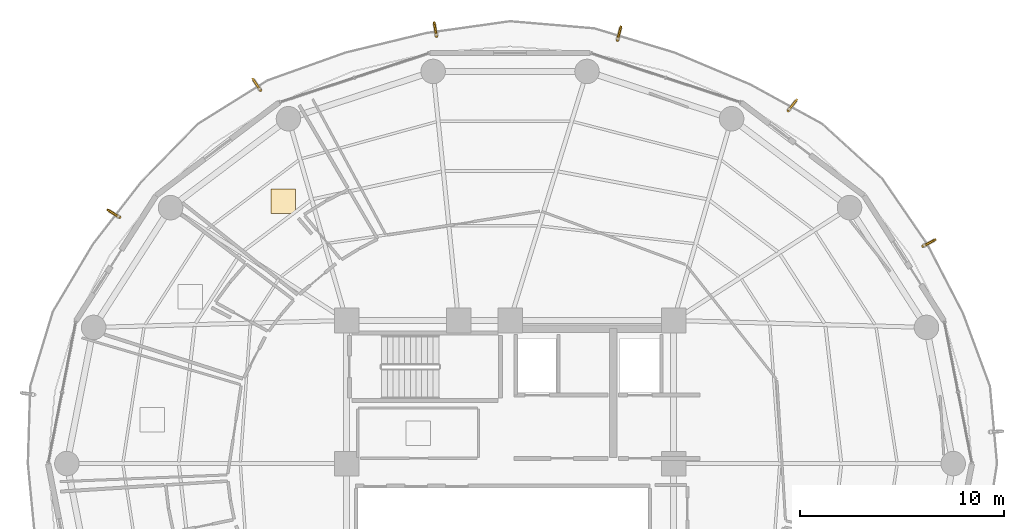
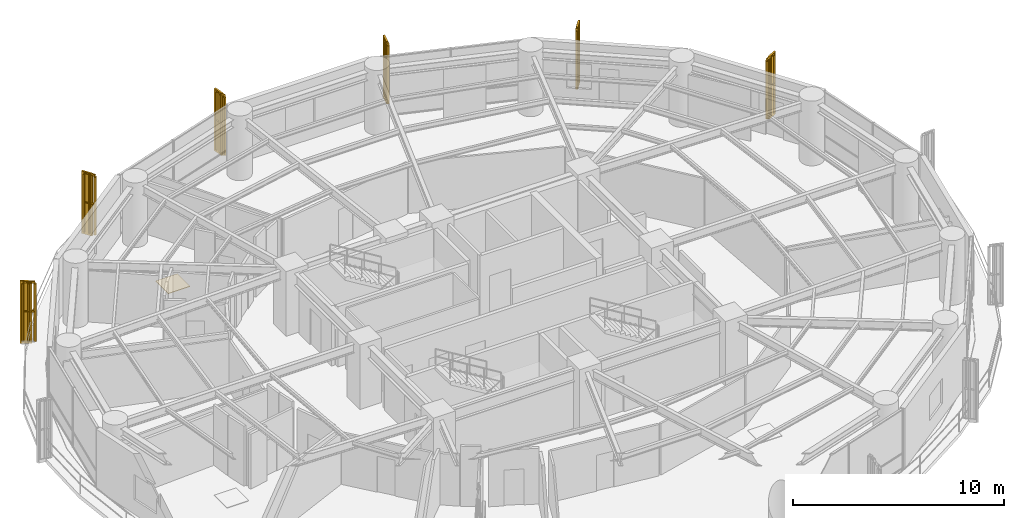
# One storey, part 27 of 27: 6 railings, 6 shading devices, 1 covering.
"""IFC4 building model written with IfcOpenShell, lengths in metres."""

from ifc_helpers import new_model, si_unit, direction, frame, origin, origin_2d, place, context, subcontext, project, spatial, polyline, rectangle, outline, extrude, source, transform, mapped, material, layer, layer_set, type_object, element, save


model = new_model("IFC4")

# Units and contexts
model_context = context("Model", 3, precision=1e-05, world=origin(), true_north=direction((0.0, 1.0)))
body_context = subcontext(model_context, "Body", "Model", "MODEL_VIEW")
ifc_project = project(units=[si_unit("LENGTHUNIT", "METRE"), si_unit("AREAUNIT", "SQUARE_METRE"), si_unit("VOLUMEUNIT", "CUBIC_METRE"), si_unit("PLANEANGLEUNIT", "RADIAN"), si_unit("MASSUNIT", "GRAM", prefix="KILO")], contexts=[model_context])

# Site, building, storey
site_placement = place(None, origin())
site = spatial("IfcSite", under=ifc_project, at=site_placement, CompositionType="ELEMENT")
building_placement = place(site_placement, origin())
building = spatial("IfcBuilding", under=site, at=building_placement, Name="Kelanora Arch Commons", CompositionType="ELEMENT")
storey_placement = place(building_placement, frame((0.0, 0.0, 154.35009765625)))
storey = spatial("IfcBuildingStorey", under=building, at=storey_placement, Name="L39", CompositionType="ELEMENT", Elevation=154.35009765625)

# Railings
ifc_material_1 = material(Name="Anodised bronze vertical shading fin rib assembly")
railing_type = type_object("IfcRailingType", Name="RAIL-FIN-BRZ", PredefinedType="BALUSTRADE", material=ifc_material_1)
railing_1_placement = place(storey_placement, frame((94.20703125, 68.63818359375, -0.02001953125)))
element("IfcRailing", 1, at=railing_1_placement, inside=storey, type_object=railing_type, Name="Sweeping Bronze Vertical Fin Blade L39-01", PredefinedType="BALUSTRADE", context=body_context, shape_type="SweptSolid", body=[
    extrude(outline(polyline([(0.06982421875, 0.0), (0.034912109375, 0.060546875), (-0.034912109375, 0.060546875), (-0.06982421875, 0.0), (-0.034912109375, -0.060546875), (0.034912109375, -0.060546875), (0.06982421875, 0.0)])), frame((0.0, 0.0, 3.419921875), z_axis=(0.884853493447, 0.46586939708, 0.0), x_axis=(-0.46586939708, 0.884853493447, 0.0)), (0.0, 0.0, 1.0), 0.57275390625),
    extrude(outline(polyline([(0.06982421875, 0.0), (0.034912109375, 0.060546875), (-0.034912109375, 0.060546875), (-0.06982421875, 0.0), (-0.034912109375, -0.060546875), (0.034912109375, -0.060546875), (0.06982421875, 0.0)])), frame((0.0, 0.0, 1.7451171875), z_axis=(0.884853493447, 0.46586939708, 0.0), x_axis=(-0.46586939708, 0.884853493447, 0.0)), (0.0, 0.0, 1.0), 0.57275390625),
    extrude(outline(polyline([(0.080078125, 0.0), (0.0400390625, 0.0693359375), (-0.0400390625, 0.0693359375), (-0.080078125, 0.0), (-0.0400390625, -0.0693359375), (0.0400390625, -0.0693359375), (0.080078125, 0.0)])), origin(), (0.0, 0.0, 1.0), 3.35009765625),
    extrude(outline(polyline([(0.080078125, 0.0), (0.0400390625, 0.0693359375), (-0.0400390625, 0.0693359375), (-0.080078125, 0.0), (-0.0400390625, -0.0693359375), (0.0400390625, -0.0693359375), (0.080078125, 0.0)])), frame((0.25341796875, 0.13330078125, 0.0)), (0.0, 0.0, 1.0), 3.35009765625),
    extrude(outline(polyline([(0.080078125, 0.0), (0.0400390625, 0.0693359375), (-0.0400390625, 0.0693359375), (-0.080078125, 0.0), (-0.0400390625, -0.0693359375), (0.0400390625, -0.0693359375), (0.080078125, 0.0)])), frame((0.5068359375, 0.266845703125, 0.0)), (0.0, 0.0, 1.0), 3.35009765625),
])
railing_2_placement = place(storey_placement, frame((87.615234375, 75.280029296875, -0.02001953125)))
element("IfcRailing", 2, at=railing_2_placement, inside=storey, type_object=railing_type, Name="Sweeping Bronze Vertical Fin Blade L39-02", PredefinedType="BALUSTRADE", context=body_context, shape_type="SweptSolid", body=[
    extrude(outline(polyline([(0.06982421875, 0.0), (0.034912109375, 0.060546875), (-0.034912109375, 0.060546875), (-0.06982421875, 0.0), (-0.034912109375, -0.060546875), (0.034912109375, -0.060546875), (0.06982421875, 0.0)])), frame((0.0, 0.0, 3.419921875), z_axis=(0.618856288895, 0.785504228948, 0.0), x_axis=(-0.785504228948, 0.618856288895, 0.0)), (0.0, 0.0, 1.0), 0.57275390625),
    extrude(outline(polyline([(0.06982421875, 0.0), (0.034912109375, 0.060546875), (-0.034912109375, 0.060546875), (-0.06982421875, 0.0), (-0.034912109375, -0.060546875), (0.034912109375, -0.060546875), (0.06982421875, 0.0)])), frame((0.0, 0.0, 1.7451171875), z_axis=(0.618856288895, 0.785504228948, 0.0), x_axis=(-0.785504228948, 0.618856288895, 0.0)), (0.0, 0.0, 1.0), 0.57275390625),
    extrude(outline(polyline([(0.080078125, 0.0), (0.0400390625, 0.0693359375), (-0.0400390625, 0.0693359375), (-0.080078125, 0.0), (-0.0400390625, -0.0693359375), (0.0400390625, -0.0693359375), (0.080078125, 0.0)])), origin(), (0.0, 0.0, 1.0), 3.35009765625),
    extrude(outline(polyline([(0.080078125, 0.0), (0.0400390625, 0.0693359375), (-0.0400390625, 0.0693359375), (-0.080078125, 0.0), (-0.0400390625, -0.0693359375), (0.0400390625, -0.0693359375), (0.080078125, 0.0)])), frame((0.17724609375, 0.22509765625, 0.0)), (0.0, 0.0, 1.0), 3.35009765625),
    extrude(outline(polyline([(0.080078125, 0.0), (0.0400390625, 0.0693359375), (-0.0400390625, 0.0693359375), (-0.080078125, 0.0), (-0.0400390625, -0.0693359375), (0.0400390625, -0.0693359375), (0.080078125, 0.0)])), frame((0.3544921875, 0.449951171875, 0.0)), (0.0, 0.0, 1.0), 3.35009765625),
])
railing_3_placement = place(storey_placement, frame((79.25634765625, 78.719970703125, -0.02001953125)))
element("IfcRailing", 3, at=railing_3_placement, inside=storey, type_object=railing_type, Name="Sweeping Bronze Vertical Fin Blade L39-03", PredefinedType="BALUSTRADE", context=body_context, shape_type="SweptSolid", body=[
    extrude(outline(polyline([(0.06982421875, 0.0), (0.034912109375, 0.060546875), (-0.034912109375, 0.060546875), (-0.06982421875, 0.0), (-0.034912109375, -0.060546875), (0.034912109375, -0.060546875), (0.06982421875, 0.0)])), frame((0.0, 0.0, 3.419921875), z_axis=(0.24594409696, 0.969284014709, 0.0), x_axis=(-0.969284014709, 0.24594409696, 0.0)), (0.0, 0.0, 1.0), 0.57275390625),
    extrude(outline(polyline([(0.06982421875, 0.0), (0.034912109375, 0.060546875), (-0.034912109375, 0.060546875), (-0.06982421875, 0.0), (-0.034912109375, -0.060546875), (0.034912109375, -0.060546875), (0.06982421875, 0.0)])), frame((0.0, 0.0, 1.7451171875), z_axis=(0.24594409696, 0.969284014709, 0.0), x_axis=(-0.969284014709, 0.24594409696, 0.0)), (0.0, 0.0, 1.0), 0.57275390625),
    extrude(outline(polyline([(0.080078125, 0.0), (0.0400390625, 0.0693359375), (-0.0400390625, 0.0693359375), (-0.080078125, 0.0), (-0.0400390625, -0.0693359375), (0.0400390625, -0.0693359375), (0.080078125, 0.0)])), origin(), (0.0, 0.0, 1.0), 3.35009765625),
    extrude(outline(polyline([(0.080078125, 0.0), (0.0400390625, 0.0693359375), (-0.0400390625, 0.0693359375), (-0.080078125, 0.0), (-0.0400390625, -0.0693359375), (0.0400390625, -0.0693359375), (0.080078125, 0.0)])), frame((0.0703125, 0.277587890625, 0.0)), (0.0, 0.0, 1.0), 3.35009765625),
    extrude(outline(polyline([(0.080078125, 0.0), (0.0400390625, 0.0693359375), (-0.0400390625, 0.0693359375), (-0.080078125, 0.0), (-0.0400390625, -0.0693359375), (0.0400390625, -0.0693359375), (0.080078125, 0.0)])), frame((0.140869140625, 0.55517578125, 0.0)), (0.0, 0.0, 1.0), 3.35009765625),
])
railing_4_placement = place(storey_placement, frame((70.40087890625, 78.9130859375, -0.02001953125)))
element("IfcRailing", 4, at=railing_4_placement, inside=storey, type_object=railing_type, Name="Sweeping Bronze Vertical Fin Blade L39-04", PredefinedType="BALUSTRADE", context=body_context, shape_type="SweptSolid", body=[
    extrude(outline(polyline([(0.06982421875, 0.0), (0.034912109375, 0.060546875), (-0.034912109375, 0.060546875), (-0.06982421875, 0.0), (-0.034912109375, -0.060546875), (0.034912109375, -0.060546875), (0.06982421875, 0.0)])), frame((0.0, 0.0, 3.419921875), z_axis=(-0.169578739056, 0.985516641798, 0.0), x_axis=(-0.985516641798, -0.169578739056, 0.0)), (0.0, 0.0, 1.0), 0.572998046875),
    extrude(outline(polyline([(0.06982421875, 0.0), (0.034912109375, 0.060546875), (-0.034912109375, 0.060546875), (-0.06982421875, 0.0), (-0.034912109375, -0.060546875), (0.034912109375, -0.060546875), (0.06982421875, 0.0)])), frame((0.0, 0.0, 1.7451171875), z_axis=(-0.169578739056, 0.985516641798, 0.0), x_axis=(-0.985516641798, -0.169578739056, 0.0)), (0.0, 0.0, 1.0), 0.572998046875),
    extrude(outline(polyline([(0.080078125, 0.0), (0.0400390625, 0.0693359375), (-0.0400390625, 0.0693359375), (-0.080078125, 0.0), (-0.0400390625, -0.0693359375), (0.0400390625, -0.0693359375), (0.080078125, 0.0)])), origin(), (0.0, 0.0, 1.0), 3.35009765625),
    extrude(outline(polyline([(0.080078125, 0.0), (0.0400390625, 0.0693359375), (-0.0400390625, 0.0693359375), (-0.080078125, 0.0), (-0.0400390625, -0.0693359375), (0.0400390625, -0.0693359375), (0.080078125, 0.0)])), frame((-0.048583984375, 0.2822265625, 0.0)), (0.0, 0.0, 1.0), 3.35009765625),
    extrude(outline(polyline([(0.080078125, 0.0), (0.0400390625, 0.0693359375), (-0.0400390625, 0.0693359375), (-0.080078125, 0.0), (-0.0400390625, -0.0693359375), (0.0400390625, -0.0693359375), (0.080078125, 0.0)])), frame((-0.09716796875, 0.564697265625, 0.0)), (0.0, 0.0, 1.0), 3.35009765625),
])
railing_5_placement = place(storey_placement, frame((61.785888671875, 76.269287109375, -0.02001953125)))
element("IfcRailing", 5, at=railing_5_placement, inside=storey, type_object=railing_type, Name="Sweeping Bronze Vertical Fin Blade L39-05", PredefinedType="BALUSTRADE", context=body_context, shape_type="SweptSolid", body=[
    extrude(outline(polyline([(0.06982421875, 0.0), (0.034912109375, 0.060546875), (-0.034912109375, 0.060546875), (-0.06982421875, 0.0), (-0.034912109375, -0.060546875), (0.034912109375, -0.060546875), (0.06982421875, 0.0)])), frame((0.0, 0.0, 3.419921875), z_axis=(-0.555683202862, 0.831394117165, 0.0), x_axis=(-0.831394117165, -0.555683202862, 0.0)), (0.0, 0.0, 1.0), 0.572998046875),
    extrude(outline(polyline([(0.06982421875, 0.0), (0.034912109375, 0.060546875), (-0.034912109375, 0.060546875), (-0.06982421875, 0.0), (-0.034912109375, -0.060546875), (0.034912109375, -0.060546875), (0.06982421875, 0.0)])), frame((0.0, 0.0, 1.7451171875), z_axis=(-0.555683202862, 0.831394117165, 0.0), x_axis=(-0.831394117165, -0.555683202862, 0.0)), (0.0, 0.0, 1.0), 0.572998046875),
    extrude(outline(polyline([(0.080078125, 0.0), (0.0400390625, 0.0693359375), (-0.0400390625, 0.0693359375), (-0.080078125, 0.0), (-0.0400390625, -0.0693359375), (0.0400390625, -0.0693359375), (0.080078125, 0.0)])), origin(), (0.0, 0.0, 1.0), 3.35009765625),
    extrude(outline(polyline([(0.080078125, 0.0), (0.0400390625, 0.0693359375), (-0.0400390625, 0.0693359375), (-0.080078125, 0.0), (-0.0400390625, -0.0693359375), (0.0400390625, -0.0693359375), (0.080078125, 0.0)])), frame((-0.1591796875, 0.23828125, 0.0)), (0.0, 0.0, 1.0), 3.35009765625),
    extrude(outline(polyline([(0.080078125, 0.0), (0.0400390625, 0.0693359375), (-0.0400390625, 0.0693359375), (-0.080078125, 0.0), (-0.0400390625, -0.0693359375), (0.0400390625, -0.0693359375), (0.080078125, 0.0)])), frame((-0.318359375, 0.476318359375, 0.0)), (0.0, 0.0, 1.0), 3.35009765625),
])
railing_6_placement = place(storey_placement, frame((54.8916015625, 70.049560546875, -0.02001953125)))
element("IfcRailing", 6, at=railing_6_placement, inside=storey, type_object=railing_type, Name="Sweeping Bronze Vertical Fin Blade L39-06", PredefinedType="BALUSTRADE", context=body_context, shape_type="SweptSolid", body=[
    extrude(outline(polyline([(0.06982421875, 0.0), (0.034912109375, 0.060546875), (-0.034912109375, 0.060546875), (-0.06982421875, 0.0), (-0.034912109375, -0.060546875), (0.034912109375, -0.060546875), (0.06982421875, 0.0)])), frame((0.0, 0.0, 3.419921875), z_axis=(-0.845883786574, 0.533367246474, 0.0), x_axis=(-0.533367246474, -0.845883786574, 0.0)), (0.0, 0.0, 1.0), 0.572509765625),
    extrude(outline(polyline([(0.06982421875, 0.0), (0.034912109375, 0.060546875), (-0.034912109375, 0.060546875), (-0.06982421875, 0.0), (-0.034912109375, -0.060546875), (0.034912109375, -0.060546875), (0.06982421875, 0.0)])), frame((0.0, 0.0, 1.7451171875), z_axis=(-0.845883786574, 0.533367246474, 0.0), x_axis=(-0.533367246474, -0.845883786574, 0.0)), (0.0, 0.0, 1.0), 0.572509765625),
    extrude(outline(polyline([(0.080078125, 0.0), (0.0400390625, 0.0693359375), (-0.0400390625, 0.0693359375), (-0.080078125, 0.0), (-0.0400390625, -0.0693359375), (0.0400390625, -0.0693359375), (0.080078125, 0.0)])), origin(), (0.0, 0.0, 1.0), 3.35009765625),
    extrude(outline(polyline([(0.080078125, 0.0), (0.0400390625, 0.0693359375), (-0.0400390625, 0.0693359375), (-0.080078125, 0.0), (-0.0400390625, -0.0693359375), (0.0400390625, -0.0693359375), (0.080078125, 0.0)])), frame((-0.2421875, 0.15283203125, 0.0)), (0.0, 0.0, 1.0), 3.35009765625),
    extrude(outline(polyline([(0.080078125, 0.0), (0.0400390625, 0.0693359375), (-0.0400390625, 0.0693359375), (-0.080078125, 0.0), (-0.0400390625, -0.0693359375), (0.0400390625, -0.0693359375), (0.080078125, 0.0)])), frame((-0.484375, 0.305419921875, 0.0)), (0.0, 0.0, 1.0), 3.35009765625),
])

# Shading devices
ifc_material_2 = material(Name="Terracotta ceramic-clad extruded aluminium fin", Category="masonry")
shading_device_type = type_object("IfcShadingDeviceType", Name="SHD-FIN-WAIST", PredefinedType="USERDEFINED", material=ifc_material_2)
shared_shape_1 = source(origin(), body_context, "Body", "SweptSolid", [
    extrude(rectangle(XDim=0.56005859375, YDim=0.090087890625, at=origin_2d()), origin(), (0.0, 0.0, 1.0), 3.610107421875),
])
for number, where, z_axis, x_axis, name in (
    (7, (94.584228515625, 68.8369140625, -0.14013671875), (0.0, 0.0, 1.0), (0.884825053421, 0.465923410914, 0.0), "Sweeping Terracotta Fin L39-01"),
    (8, (87.879150390625, 75.614990234375, -0.14013671875), (0.0, 0.0, 1.0), (0.618819784276, 0.785532987588, 0.0), "Sweeping Terracotta Fin L39-02"),
    (9, (79.361328125, 79.13330078125, -0.14013671875), (0.0, 0.0, 1.0), (0.245814952628, 0.969316774365, 0.0), "Sweeping Terracotta Fin L39-03"),
    (10, (70.32861328125, 79.33349609375, -0.14013671875), (0.0, 0.0, 1.0), (-0.169693517489, 0.985496884887, 0.0), "Sweeping Terracotta Fin L39-04"),
    (11, (61.548828125, 76.623779296875, -0.14013671875), (0.0, 0.0, 1.0), (-0.555860436814, 0.831275631055, 0.0), "Sweeping Terracotta Fin L39-05"),
    (12, (54.531005859375, 70.27685546875, -0.14013671875), (0.0, 0.0, 1.0), (-0.845820942125, 0.533466900438, 0.0), "Sweeping Terracotta Fin L39-06"),
):
    element("IfcShadingDevice", number, at=place(storey_placement, frame(where, z_axis=z_axis, x_axis=x_axis)), inside=storey, type_object=shading_device_type, Name=name, ObjectType="FIN", PredefinedType="USERDEFINED", context=body_context, shape_type="MappedRepresentation", body=[
        mapped(shared_shape_1, transform((0.0, 0.0, 0.0), scale=1.0)),
    ])

# Covering
ifc_material_3 = material(Name="Polished local granite terrazzo flooring", Category="masonry")
ifc_layer = layer(ifc_material_3, 0.030029296875)
ifc_layer_set = layer_set([ifc_layer], Name="Polished local granite terrazzo flooring")
covering_type = type_object("IfcCoveringType", Name="COV-FLR-TER", PredefinedType="FLOORING", material=ifc_layer_set)
shared_shape_2 = source(origin(), body_context, "Body", "SweptSolid", [
    extrude(rectangle(XDim=1.199951171875, YDim=1.199951171875, at=origin_2d()), origin(), (0.0, 0.0, 1.0), 0.030029296875),
])
covering_placement = place(storey_placement, frame((62.904296875, 70.841796875, 0.0), z_axis=(0.0, 0.0, 1.0), x_axis=(1.0, 0.0, 0.0)))
element("IfcCovering", 13, at=covering_placement, inside=storey, type_object=covering_type, Name="Co-Living Studio L39-01 Terrazzo Finish", PredefinedType="FLOORING", context=body_context, shape_type="MappedRepresentation", body=[
    mapped(shared_shape_2, transform((0.0, 0.0, 0.0), scale=1.0)),
])

save(model, "model.ifc")
